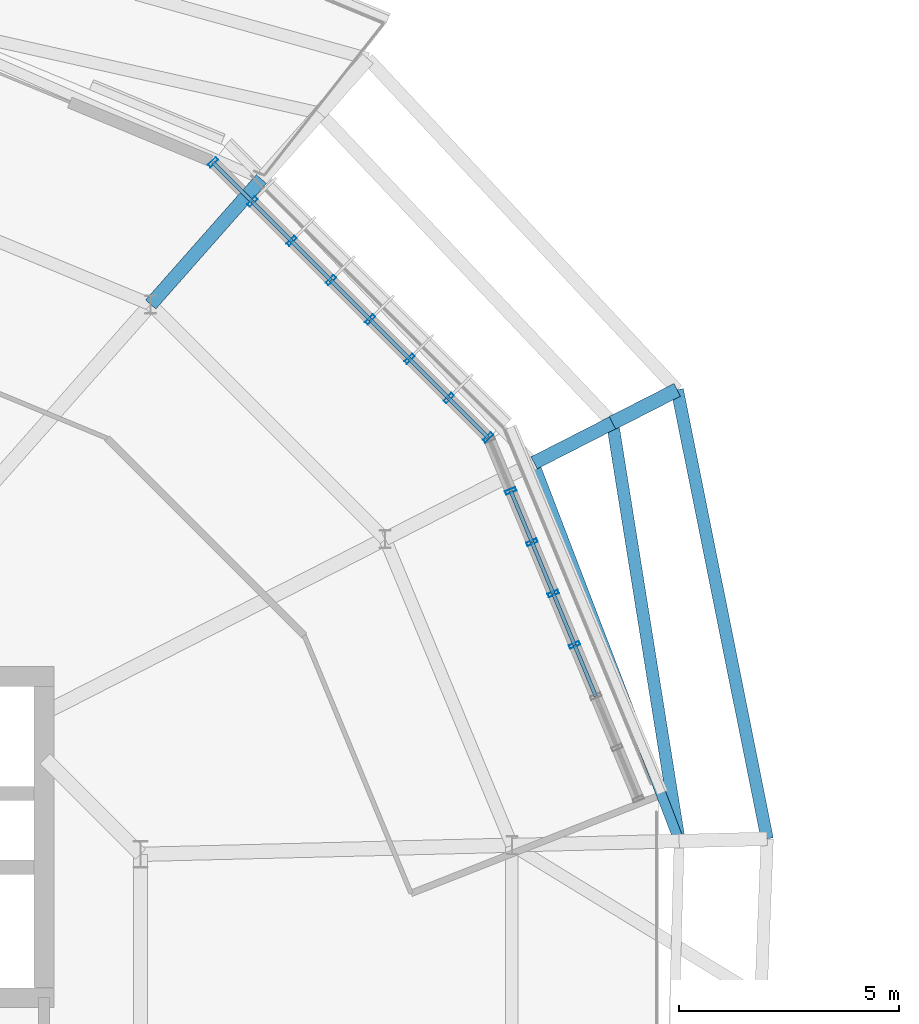
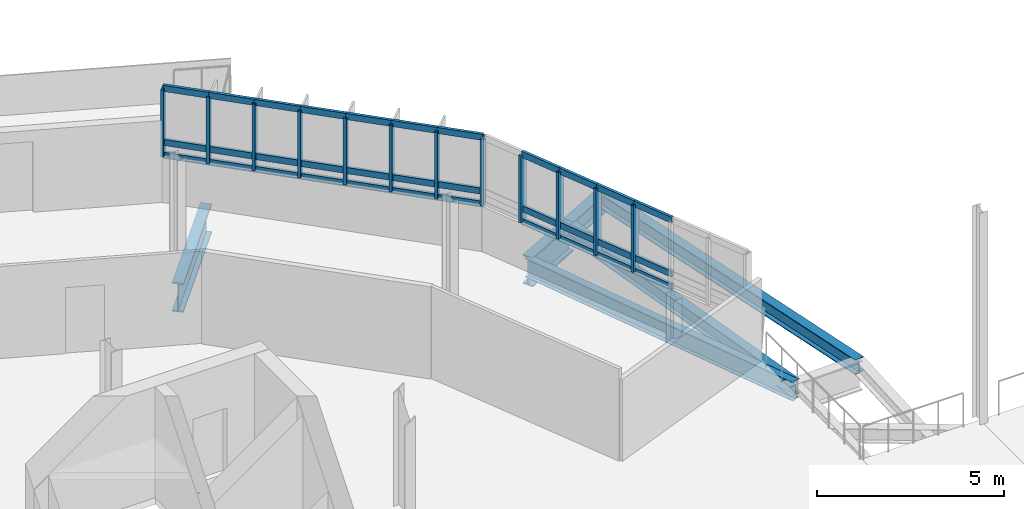
# One storey, part 29 of 61: 45 members, 6 beams, 2 elements without a shape of their own.
"""IFC4 building model written with IfcOpenShell, lengths in metres."""

from ifc_helpers import new_model, si_unit, derived_unit, direction, frame, origin, origin_2d, place, context, subcontext, project, spatial, hollow_rectangle, i_section, extrude, material, layer, layer_set, material_profile, profile_set, type_object, element, aggregate, save


model = new_model("IFC4")

# Units and contexts
model_context = context("Model", 3, precision=1e-05, world=origin(), true_north=direction((0.0, 1.0)))
body_context = subcontext(model_context, "Body", "Model", "MODEL_VIEW")
ifc_project = project(units=[si_unit("LENGTHUNIT", "METRE"), si_unit("AREAUNIT", "SQUARE_METRE"), si_unit("VOLUMEUNIT", "CUBIC_METRE"), si_unit("PLANEANGLEUNIT", "RADIAN"), si_unit("MASSUNIT", "GRAM", prefix="KILO"), derived_unit("THERMALTRANSMITTANCEUNIT", [(si_unit("MASSUNIT", "GRAM", prefix="KILO"), 1), (si_unit("TIMEUNIT", "SECOND"), -3), (si_unit("THERMODYNAMICTEMPERATUREUNIT", "KELVIN"), -1)])], contexts=[model_context])

# Site, building, storey
site_placement = place(None, origin())
site = spatial("IfcSite", under=ifc_project, at=site_placement, CompositionType="ELEMENT")
building_placement = place(site_placement, origin())
building = spatial("IfcBuilding", under=site, at=building_placement, Name="Makaiwela Harbour Ferry Terminal", CompositionType="ELEMENT")
storey_placement = place(building_placement, frame((0.0, 0.0, 13.800048828125)))
storey = spatial("IfcBuildingStorey", under=building, at=storey_placement, Name="L03", CompositionType="ELEMENT", Elevation=13.800048828125)

# Curtain wall, members
ifc_material_1 = material(Name="Marine anodised aluminium 6063-T6", Category="aluminium")
ifc_layer = layer(ifc_material_1, 0.199951171875)
ifc_layer_set = layer_set([ifc_layer], Name="Marine anodised aluminium 6063-T6")
curtain_wall_type = type_object("IfcCurtainWallType", Name="ENV-CW-05", PredefinedType="USERDEFINED", material=ifc_layer_set)
curtain_wall_1_placement = place(storey_placement, origin())
curtain_wall_1 = element("IfcCurtainWall", 1, at=curtain_wall_1_placement, inside=storey, type_object=curtain_wall_type, Name="Unitised Curtain Wall CWA-029", ObjectType="UNITIZED CURTAIN WALL", PredefinedType="USERDEFINED")
ifc_material_profile_1 = material_profile(ifc_material_1, hollow_rectangle(XDim=0.0849609375, YDim=0.25, WallThickness=0.0048828125, at=origin_2d()), Name="CWM-250X85")
ifc_profile_set_1 = profile_set([ifc_material_profile_1], Name="Marine anodised aluminium 6063-T6")
member_type_1 = type_object("IfcMemberType", Name="CW-MUL-250", PredefinedType="MULLION", material=ifc_profile_set_1)
member_1_placement = place(storey_placement, frame((57.451171875, 76.414306640625, 1.47998046875), z_axis=(0.0, 0.0, 1.0), x_axis=(-0.382683432365, 0.923879532511, 0.0)))
member_1 = element("IfcMember", 2, at=member_1_placement, type_object=member_type_1, Name="Curtain Wall Mullion CWA-029-4", PredefinedType="MULLION", context=body_context, shape_type="SweptSolid", body=[
    extrude(hollow_rectangle(XDim=0.0849609375, YDim=0.25, WallThickness=0.0048828125, at=origin_2d()), origin(), (0.0, 0.0, 1.0), 2.179931640625),
])
member_2_placement = place(storey_placement, frame((56.96826171875, 77.580810546875, 1.47998046875), z_axis=(0.0, 0.0, 1.0), x_axis=(-0.382683432365, 0.923879532511, 0.0)))
member_2 = element("IfcMember", 3, at=member_2_placement, type_object=member_type_1, Name="Curtain Wall Mullion CWA-029-5", PredefinedType="MULLION", context=body_context, shape_type="SweptSolid", body=[
    extrude(hollow_rectangle(XDim=0.0849609375, YDim=0.25, WallThickness=0.0048828125, at=origin_2d()), origin(), (0.0, 0.0, 1.0), 2.179931640625),
])
member_3_placement = place(storey_placement, frame((56.485107421875, 78.746826171875, 1.47998046875), z_axis=(0.0, 0.0, 1.0), x_axis=(-0.382683432365, 0.923879532511, 0.0)))
member_3 = element("IfcMember", 4, at=member_3_placement, type_object=member_type_1, Name="Curtain Wall Mullion CWA-029-6", PredefinedType="MULLION", context=body_context, shape_type="SweptSolid", body=[
    extrude(hollow_rectangle(XDim=0.0849609375, YDim=0.25, WallThickness=0.0048828125, at=origin_2d()), origin(), (0.0, 0.0, 1.0), 2.179931640625),
])
member_4_placement = place(storey_placement, frame((56.002197265625, 79.9130859375, 1.47998046875), z_axis=(0.0, 0.0, 1.0), x_axis=(-0.382683432365, 0.923879532511, 0.0)))
member_4 = element("IfcMember", 5, at=member_4_placement, type_object=member_type_1, Name="Curtain Wall Mullion CWA-029-7", PredefinedType="MULLION", context=body_context, shape_type="SweptSolid", body=[
    extrude(hollow_rectangle(XDim=0.0849609375, YDim=0.25, WallThickness=0.0048828125, at=origin_2d()), origin(), (0.0, 0.0, 1.0), 2.179931640625),
])

curtain_wall_2_placement = place(storey_placement, origin())
curtain_wall_2 = element("IfcCurtainWall", 6, at=curtain_wall_2_placement, inside=storey, type_object=curtain_wall_type, Name="Unitised Curtain Wall CWA-030", ObjectType="UNITIZED CURTAIN WALL", PredefinedType="USERDEFINED")
member_5_placement = place(storey_placement, frame((55.486328125, 81.128173828125, 1.47998046875), z_axis=(0.0, 0.0, 1.0), x_axis=(-0.707106781187, 0.707106781187, 0.0)))
member_5 = element("IfcMember", 7, at=member_5_placement, type_object=member_type_1, Name="Curtain Wall Mullion CWA-030-1", PredefinedType="MULLION", context=body_context, shape_type="SweptSolid", body=[
    extrude(hollow_rectangle(XDim=0.0849609375, YDim=0.25, WallThickness=0.0048828125, at=origin_2d()), origin(), (0.0, 0.0, 1.0), 2.179931640625),
])
member_6_placement = place(storey_placement, frame((54.59375, 82.020751953125, 1.47998046875), z_axis=(0.0, 0.0, 1.0), x_axis=(-0.707106781187, 0.707106781187, 0.0)))
member_6 = element("IfcMember", 8, at=member_6_placement, type_object=member_type_1, Name="Curtain Wall Mullion CWA-030-2", PredefinedType="MULLION", context=body_context, shape_type="SweptSolid", body=[
    extrude(hollow_rectangle(XDim=0.0849609375, YDim=0.25, WallThickness=0.0048828125, at=origin_2d()), origin(), (0.0, 0.0, 1.0), 2.179931640625),
])
member_7_placement = place(storey_placement, frame((53.701171875, 82.913330078125, 1.47998046875), z_axis=(0.0, 0.0, 1.0), x_axis=(-0.707106781187, 0.707106781187, 0.0)))
member_7 = element("IfcMember", 9, at=member_7_placement, type_object=member_type_1, Name="Curtain Wall Mullion CWA-030-3", PredefinedType="MULLION", context=body_context, shape_type="SweptSolid", body=[
    extrude(hollow_rectangle(XDim=0.0849609375, YDim=0.25, WallThickness=0.0048828125, at=origin_2d()), origin(), (0.0, 0.0, 1.0), 2.179931640625),
])
member_8_placement = place(storey_placement, frame((52.80859375, 83.805908203125, 1.47998046875), z_axis=(0.0, 0.0, 1.0), x_axis=(-0.707106781187, 0.707106781187, 0.0)))
member_8 = element("IfcMember", 10, at=member_8_placement, type_object=member_type_1, Name="Curtain Wall Mullion CWA-030-4", PredefinedType="MULLION", context=body_context, shape_type="SweptSolid", body=[
    extrude(hollow_rectangle(XDim=0.0849609375, YDim=0.25, WallThickness=0.0048828125, at=origin_2d()), origin(), (0.0, 0.0, 1.0), 2.179931640625),
])
member_9_placement = place(storey_placement, frame((51.916015625, 84.698486328125, 1.47998046875), z_axis=(0.0, 0.0, 1.0), x_axis=(-0.707106781187, 0.707106781187, 0.0)))
member_9 = element("IfcMember", 11, at=member_9_placement, type_object=member_type_1, Name="Curtain Wall Mullion CWA-030-5", PredefinedType="MULLION", context=body_context, shape_type="SweptSolid", body=[
    extrude(hollow_rectangle(XDim=0.0849609375, YDim=0.25, WallThickness=0.0048828125, at=origin_2d()), origin(), (0.0, 0.0, 1.0), 2.179931640625),
])
member_10_placement = place(storey_placement, frame((51.0234375, 85.591064453125, 1.47998046875), z_axis=(0.0, 0.0, 1.0), x_axis=(-0.707106781187, 0.707106781187, 0.0)))
member_10 = element("IfcMember", 12, at=member_10_placement, type_object=member_type_1, Name="Curtain Wall Mullion CWA-030-6", PredefinedType="MULLION", context=body_context, shape_type="SweptSolid", body=[
    extrude(hollow_rectangle(XDim=0.0849609375, YDim=0.25, WallThickness=0.0048828125, at=origin_2d()), origin(), (0.0, 0.0, 1.0), 2.179931640625),
])
member_11_placement = place(storey_placement, frame((50.130859375, 86.483642578125, 1.47998046875), z_axis=(0.0, 0.0, 1.0), x_axis=(-0.707106781187, 0.707106781187, 0.0)))
member_11 = element("IfcMember", 13, at=member_11_placement, type_object=member_type_1, Name="Curtain Wall Mullion CWA-030-7", PredefinedType="MULLION", context=body_context, shape_type="SweptSolid", body=[
    extrude(hollow_rectangle(XDim=0.0849609375, YDim=0.25, WallThickness=0.0048828125, at=origin_2d()), origin(), (0.0, 0.0, 1.0), 2.179931640625),
])
member_12_placement = place(storey_placement, frame((49.23828125, 87.376220703125, 1.47998046875), z_axis=(0.0, 0.0, 1.0), x_axis=(-0.707106781187, 0.707106781187, 0.0)))
member_12 = element("IfcMember", 14, at=member_12_placement, type_object=member_type_1, Name="Curtain Wall Mullion CWA-030-8", PredefinedType="MULLION", context=body_context, shape_type="SweptSolid", body=[
    extrude(hollow_rectangle(XDim=0.0849609375, YDim=0.25, WallThickness=0.0048828125, at=origin_2d()), origin(), (0.0, 0.0, 1.0), 2.179931640625),
])

# Member
ifc_material_profile_2 = material_profile(ifc_material_1, hollow_rectangle(XDim=0.0849609375, YDim=0.199951171875, WallThickness=0.0048828125, at=origin_2d()), Name="CWT-200X85")
ifc_profile_set_2 = profile_set([ifc_material_profile_2], Name="Marine anodised aluminium 6063-T6")
member_type_2 = type_object("IfcMemberType", Name="CW-TRN-200", PredefinedType="USERDEFINED", material=ifc_profile_set_2)
member_13_placement = place(storey_placement, frame((57.934326171875, 75.248291015625, 1.47998046875), z_axis=(-0.382801648306, 0.923830557004, 0.0), x_axis=(-0.923830557004, -0.382801648306, 0.0)))
member_13 = element("IfcMember", 15, at=member_13_placement, type_object=member_type_2, Name="Curtain Wall Transom CWA-029-3-1", ObjectType="TRANSOM", PredefinedType="USERDEFINED", context=body_context, shape_type="SweptSolid", body=[
    extrude(hollow_rectangle(XDim=0.0849609375, YDim=0.199951171875, WallThickness=0.0048828125, at=origin_2d()), origin(), (0.0, 0.0, 1.0), 1.26220703125),
])

member_14_placement = place(storey_placement, frame((57.934326171875, 75.248291015625, 1.89990234375), z_axis=(-0.382801648306, 0.923830557004, 0.0), x_axis=(-0.923830557004, -0.382801648306, 0.0)))
member_14 = element("IfcMember", 16, at=member_14_placement, type_object=member_type_2, Name="Curtain Wall Transom CWA-029-3-2", ObjectType="TRANSOM", PredefinedType="USERDEFINED", context=body_context, shape_type="SweptSolid", body=[
    extrude(hollow_rectangle(XDim=0.0849609375, YDim=0.199951171875, WallThickness=0.0048828125, at=origin_2d()), origin(), (0.0, 0.0, 1.0), 1.26220703125),
])

member_15_placement = place(storey_placement, frame((57.934326171875, 75.248291015625, 3.659912109375), z_axis=(-0.382801648306, 0.923830557004, 0.0), x_axis=(-0.923830557004, -0.382801648306, 0.0)))
member_15 = element("IfcMember", 17, at=member_15_placement, type_object=member_type_2, Name="Curtain Wall Transom CWA-029-3-3", ObjectType="TRANSOM", PredefinedType="USERDEFINED", context=body_context, shape_type="SweptSolid", body=[
    extrude(hollow_rectangle(XDim=0.0849609375, YDim=0.199951171875, WallThickness=0.0048828125, at=origin_2d()), origin(), (0.0, 0.0, 1.0), 1.26220703125),
])

member_16_placement = place(storey_placement, frame((57.451171875, 76.414306640625, 1.47998046875), z_axis=(-0.38249981452, 0.923955568137, 0.0), x_axis=(-0.923955568137, -0.38249981452, 0.0)))
member_16 = element("IfcMember", 18, at=member_16_placement, type_object=member_type_2, Name="Curtain Wall Transom CWA-029-4-1", ObjectType="TRANSOM", PredefinedType="USERDEFINED", context=body_context, shape_type="SweptSolid", body=[
    extrude(hollow_rectangle(XDim=0.0849609375, YDim=0.199951171875, WallThickness=0.0048828125, at=origin_2d()), origin(), (0.0, 0.0, 1.0), 1.262451171875),
])

member_17_placement = place(storey_placement, frame((57.451171875, 76.414306640625, 1.89990234375), z_axis=(-0.38249981452, 0.923955568137, 0.0), x_axis=(-0.923955568137, -0.38249981452, 0.0)))
member_17 = element("IfcMember", 19, at=member_17_placement, type_object=member_type_2, Name="Curtain Wall Transom CWA-029-4-2", ObjectType="TRANSOM", PredefinedType="USERDEFINED", context=body_context, shape_type="SweptSolid", body=[
    extrude(hollow_rectangle(XDim=0.0849609375, YDim=0.199951171875, WallThickness=0.0048828125, at=origin_2d()), origin(), (0.0, 0.0, 1.0), 1.262451171875),
])

member_18_placement = place(storey_placement, frame((57.451171875, 76.414306640625, 3.659912109375), z_axis=(-0.38249981452, 0.923955568137, 0.0), x_axis=(-0.923955568137, -0.38249981452, 0.0)))
member_18 = element("IfcMember", 20, at=member_18_placement, type_object=member_type_2, Name="Curtain Wall Transom CWA-029-4-3", ObjectType="TRANSOM", PredefinedType="USERDEFINED", context=body_context, shape_type="SweptSolid", body=[
    extrude(hollow_rectangle(XDim=0.0849609375, YDim=0.199951171875, WallThickness=0.0048828125, at=origin_2d()), origin(), (0.0, 0.0, 1.0), 1.262451171875),
])

member_19_placement = place(storey_placement, frame((56.96826171875, 77.580810546875, 1.47998046875), z_axis=(-0.382801648306, 0.923830557004, 0.0), x_axis=(-0.923830557004, -0.382801648306, 0.0)))
member_19 = element("IfcMember", 21, at=member_19_placement, type_object=member_type_2, Name="Curtain Wall Transom CWA-029-5-1", ObjectType="TRANSOM", PredefinedType="USERDEFINED", context=body_context, shape_type="SweptSolid", body=[
    extrude(hollow_rectangle(XDim=0.0849609375, YDim=0.199951171875, WallThickness=0.0048828125, at=origin_2d()), origin(), (0.0, 0.0, 1.0), 1.26220703125),
])

member_20_placement = place(storey_placement, frame((56.96826171875, 77.580810546875, 1.89990234375), z_axis=(-0.382801648306, 0.923830557004, 0.0), x_axis=(-0.923830557004, -0.382801648306, 0.0)))
member_20 = element("IfcMember", 22, at=member_20_placement, type_object=member_type_2, Name="Curtain Wall Transom CWA-029-5-2", ObjectType="TRANSOM", PredefinedType="USERDEFINED", context=body_context, shape_type="SweptSolid", body=[
    extrude(hollow_rectangle(XDim=0.0849609375, YDim=0.199951171875, WallThickness=0.0048828125, at=origin_2d()), origin(), (0.0, 0.0, 1.0), 1.26220703125),
])

member_21_placement = place(storey_placement, frame((56.96826171875, 77.580810546875, 3.659912109375), z_axis=(-0.382801648306, 0.923830557004, 0.0), x_axis=(-0.923830557004, -0.382801648306, 0.0)))
member_21 = element("IfcMember", 23, at=member_21_placement, type_object=member_type_2, Name="Curtain Wall Transom CWA-029-5-3", ObjectType="TRANSOM", PredefinedType="USERDEFINED", context=body_context, shape_type="SweptSolid", body=[
    extrude(hollow_rectangle(XDim=0.0849609375, YDim=0.199951171875, WallThickness=0.0048828125, at=origin_2d()), origin(), (0.0, 0.0, 1.0), 1.26220703125),
])

member_22_placement = place(storey_placement, frame((56.485107421875, 78.746826171875, 1.47998046875), z_axis=(-0.382568167619, 0.923927268309, 0.0), x_axis=(-0.923927268309, -0.382568167619, 0.0)))
member_22 = element("IfcMember", 24, at=member_22_placement, type_object=member_type_2, Name="Curtain Wall Transom CWA-029-6-1", ObjectType="TRANSOM", PredefinedType="USERDEFINED", context=body_context, shape_type="SweptSolid", body=[
    extrude(hollow_rectangle(XDim=0.0849609375, YDim=0.199951171875, WallThickness=0.0048828125, at=origin_2d()), origin(), (0.0, 0.0, 1.0), 1.26220703125),
])

member_23_placement = place(storey_placement, frame((56.485107421875, 78.746826171875, 1.89990234375), z_axis=(-0.382568167619, 0.923927268309, 0.0), x_axis=(-0.923927268309, -0.382568167619, 0.0)))
member_23 = element("IfcMember", 25, at=member_23_placement, type_object=member_type_2, Name="Curtain Wall Transom CWA-029-6-2", ObjectType="TRANSOM", PredefinedType="USERDEFINED", context=body_context, shape_type="SweptSolid", body=[
    extrude(hollow_rectangle(XDim=0.0849609375, YDim=0.199951171875, WallThickness=0.0048828125, at=origin_2d()), origin(), (0.0, 0.0, 1.0), 1.26220703125),
])

member_24_placement = place(storey_placement, frame((56.485107421875, 78.746826171875, 3.659912109375), z_axis=(-0.382568167619, 0.923927268309, 0.0), x_axis=(-0.923927268309, -0.382568167619, 0.0)))
member_24 = element("IfcMember", 26, at=member_24_placement, type_object=member_type_2, Name="Curtain Wall Transom CWA-029-6-3", ObjectType="TRANSOM", PredefinedType="USERDEFINED", context=body_context, shape_type="SweptSolid", body=[
    extrude(hollow_rectangle(XDim=0.0849609375, YDim=0.199951171875, WallThickness=0.0048828125, at=origin_2d()), origin(), (0.0, 0.0, 1.0), 1.26220703125),
])

aggregate(curtain_wall_1, [member_1, member_2, member_3, member_4, member_13, member_14, member_15, member_16, member_17, member_18, member_19, member_20, member_21, member_22, member_23, member_24])

member_25_placement = place(storey_placement, frame((55.486328125, 81.128173828125, 1.47998046875), z_axis=(-0.707106781187, 0.707106781187, 0.0), x_axis=(-0.707106781187, -0.707106781187, 0.0)))
member_25 = element("IfcMember", 27, at=member_25_placement, type_object=member_type_2, Name="Curtain Wall Transom CWA-030-1-1", ObjectType="TRANSOM", PredefinedType="USERDEFINED", context=body_context, shape_type="SweptSolid", body=[
    extrude(hollow_rectangle(XDim=0.0849609375, YDim=0.199951171875, WallThickness=0.0048828125, at=origin_2d()), origin(), (0.0, 0.0, 1.0), 1.26220703125),
])

member_26_placement = place(storey_placement, frame((55.486328125, 81.128173828125, 1.89990234375), z_axis=(-0.707106781187, 0.707106781187, 0.0), x_axis=(-0.707106781187, -0.707106781187, 0.0)))
member_26 = element("IfcMember", 28, at=member_26_placement, type_object=member_type_2, Name="Curtain Wall Transom CWA-030-1-2", ObjectType="TRANSOM", PredefinedType="USERDEFINED", context=body_context, shape_type="SweptSolid", body=[
    extrude(hollow_rectangle(XDim=0.0849609375, YDim=0.199951171875, WallThickness=0.0048828125, at=origin_2d()), origin(), (0.0, 0.0, 1.0), 1.26220703125),
])

member_27_placement = place(storey_placement, frame((55.486328125, 81.128173828125, 3.659912109375), z_axis=(-0.707106781187, 0.707106781187, 0.0), x_axis=(-0.707106781187, -0.707106781187, 0.0)))
member_27 = element("IfcMember", 29, at=member_27_placement, type_object=member_type_2, Name="Curtain Wall Transom CWA-030-1-3", ObjectType="TRANSOM", PredefinedType="USERDEFINED", context=body_context, shape_type="SweptSolid", body=[
    extrude(hollow_rectangle(XDim=0.0849609375, YDim=0.199951171875, WallThickness=0.0048828125, at=origin_2d()), origin(), (0.0, 0.0, 1.0), 1.26220703125),
])

member_28_placement = place(storey_placement, frame((54.59375, 82.020751953125, 1.47998046875), z_axis=(-0.707106781187, 0.707106781187, 0.0), x_axis=(-0.707106781187, -0.707106781187, 0.0)))
member_28 = element("IfcMember", 30, at=member_28_placement, type_object=member_type_2, Name="Curtain Wall Transom CWA-030-2-1", ObjectType="TRANSOM", PredefinedType="USERDEFINED", context=body_context, shape_type="SweptSolid", body=[
    extrude(hollow_rectangle(XDim=0.0849609375, YDim=0.199951171875, WallThickness=0.0048828125, at=origin_2d()), origin(), (0.0, 0.0, 1.0), 1.26220703125),
])

member_29_placement = place(storey_placement, frame((54.59375, 82.020751953125, 1.89990234375), z_axis=(-0.707106781187, 0.707106781187, 0.0), x_axis=(-0.707106781187, -0.707106781187, 0.0)))
member_29 = element("IfcMember", 31, at=member_29_placement, type_object=member_type_2, Name="Curtain Wall Transom CWA-030-2-2", ObjectType="TRANSOM", PredefinedType="USERDEFINED", context=body_context, shape_type="SweptSolid", body=[
    extrude(hollow_rectangle(XDim=0.0849609375, YDim=0.199951171875, WallThickness=0.0048828125, at=origin_2d()), origin(), (0.0, 0.0, 1.0), 1.26220703125),
])

member_30_placement = place(storey_placement, frame((54.59375, 82.020751953125, 3.659912109375), z_axis=(-0.707106781187, 0.707106781187, 0.0), x_axis=(-0.707106781187, -0.707106781187, 0.0)))
member_30 = element("IfcMember", 32, at=member_30_placement, type_object=member_type_2, Name="Curtain Wall Transom CWA-030-2-3", ObjectType="TRANSOM", PredefinedType="USERDEFINED", context=body_context, shape_type="SweptSolid", body=[
    extrude(hollow_rectangle(XDim=0.0849609375, YDim=0.199951171875, WallThickness=0.0048828125, at=origin_2d()), origin(), (0.0, 0.0, 1.0), 1.26220703125),
])

member_31_placement = place(storey_placement, frame((53.701171875, 82.913330078125, 1.47998046875), z_axis=(-0.707106781187, 0.707106781187, 0.0), x_axis=(-0.707106781187, -0.707106781187, 0.0)))
member_31 = element("IfcMember", 33, at=member_31_placement, type_object=member_type_2, Name="Curtain Wall Transom CWA-030-3-1", ObjectType="TRANSOM", PredefinedType="USERDEFINED", context=body_context, shape_type="SweptSolid", body=[
    extrude(hollow_rectangle(XDim=0.0849609375, YDim=0.199951171875, WallThickness=0.0048828125, at=origin_2d()), origin(), (0.0, 0.0, 1.0), 1.26220703125),
])

member_32_placement = place(storey_placement, frame((53.701171875, 82.913330078125, 1.89990234375), z_axis=(-0.707106781187, 0.707106781187, 0.0), x_axis=(-0.707106781187, -0.707106781187, 0.0)))
member_32 = element("IfcMember", 34, at=member_32_placement, type_object=member_type_2, Name="Curtain Wall Transom CWA-030-3-2", ObjectType="TRANSOM", PredefinedType="USERDEFINED", context=body_context, shape_type="SweptSolid", body=[
    extrude(hollow_rectangle(XDim=0.0849609375, YDim=0.199951171875, WallThickness=0.0048828125, at=origin_2d()), origin(), (0.0, 0.0, 1.0), 1.26220703125),
])

member_33_placement = place(storey_placement, frame((53.701171875, 82.913330078125, 3.659912109375), z_axis=(-0.707106781187, 0.707106781187, 0.0), x_axis=(-0.707106781187, -0.707106781187, 0.0)))
member_33 = element("IfcMember", 35, at=member_33_placement, type_object=member_type_2, Name="Curtain Wall Transom CWA-030-3-3", ObjectType="TRANSOM", PredefinedType="USERDEFINED", context=body_context, shape_type="SweptSolid", body=[
    extrude(hollow_rectangle(XDim=0.0849609375, YDim=0.199951171875, WallThickness=0.0048828125, at=origin_2d()), origin(), (0.0, 0.0, 1.0), 1.26220703125),
])

member_34_placement = place(storey_placement, frame((52.80859375, 83.805908203125, 1.47998046875), z_axis=(-0.707106781187, 0.707106781187, 0.0), x_axis=(-0.707106781187, -0.707106781187, 0.0)))
member_34 = element("IfcMember", 36, at=member_34_placement, type_object=member_type_2, Name="Curtain Wall Transom CWA-030-4-1", ObjectType="TRANSOM", PredefinedType="USERDEFINED", context=body_context, shape_type="SweptSolid", body=[
    extrude(hollow_rectangle(XDim=0.0849609375, YDim=0.199951171875, WallThickness=0.0048828125, at=origin_2d()), origin(), (0.0, 0.0, 1.0), 1.26220703125),
])

member_35_placement = place(storey_placement, frame((52.80859375, 83.805908203125, 1.89990234375), z_axis=(-0.707106781187, 0.707106781187, 0.0), x_axis=(-0.707106781187, -0.707106781187, 0.0)))
member_35 = element("IfcMember", 37, at=member_35_placement, type_object=member_type_2, Name="Curtain Wall Transom CWA-030-4-2", ObjectType="TRANSOM", PredefinedType="USERDEFINED", context=body_context, shape_type="SweptSolid", body=[
    extrude(hollow_rectangle(XDim=0.0849609375, YDim=0.199951171875, WallThickness=0.0048828125, at=origin_2d()), origin(), (0.0, 0.0, 1.0), 1.26220703125),
])

member_36_placement = place(storey_placement, frame((52.80859375, 83.805908203125, 3.659912109375), z_axis=(-0.707106781187, 0.707106781187, 0.0), x_axis=(-0.707106781187, -0.707106781187, 0.0)))
member_36 = element("IfcMember", 38, at=member_36_placement, type_object=member_type_2, Name="Curtain Wall Transom CWA-030-4-3", ObjectType="TRANSOM", PredefinedType="USERDEFINED", context=body_context, shape_type="SweptSolid", body=[
    extrude(hollow_rectangle(XDim=0.0849609375, YDim=0.199951171875, WallThickness=0.0048828125, at=origin_2d()), origin(), (0.0, 0.0, 1.0), 1.26220703125),
])

member_37_placement = place(storey_placement, frame((51.916015625, 84.698486328125, 1.47998046875), z_axis=(-0.707106781187, 0.707106781187, 0.0), x_axis=(-0.707106781187, -0.707106781187, 0.0)))
member_37 = element("IfcMember", 39, at=member_37_placement, type_object=member_type_2, Name="Curtain Wall Transom CWA-030-5-1", ObjectType="TRANSOM", PredefinedType="USERDEFINED", context=body_context, shape_type="SweptSolid", body=[
    extrude(hollow_rectangle(XDim=0.0849609375, YDim=0.199951171875, WallThickness=0.0048828125, at=origin_2d()), origin(), (0.0, 0.0, 1.0), 1.26220703125),
])

member_38_placement = place(storey_placement, frame((51.916015625, 84.698486328125, 1.89990234375), z_axis=(-0.707106781187, 0.707106781187, 0.0), x_axis=(-0.707106781187, -0.707106781187, 0.0)))
member_38 = element("IfcMember", 40, at=member_38_placement, type_object=member_type_2, Name="Curtain Wall Transom CWA-030-5-2", ObjectType="TRANSOM", PredefinedType="USERDEFINED", context=body_context, shape_type="SweptSolid", body=[
    extrude(hollow_rectangle(XDim=0.0849609375, YDim=0.199951171875, WallThickness=0.0048828125, at=origin_2d()), origin(), (0.0, 0.0, 1.0), 1.26220703125),
])

member_39_placement = place(storey_placement, frame((51.916015625, 84.698486328125, 3.659912109375), z_axis=(-0.707106781187, 0.707106781187, 0.0), x_axis=(-0.707106781187, -0.707106781187, 0.0)))
member_39 = element("IfcMember", 41, at=member_39_placement, type_object=member_type_2, Name="Curtain Wall Transom CWA-030-5-3", ObjectType="TRANSOM", PredefinedType="USERDEFINED", context=body_context, shape_type="SweptSolid", body=[
    extrude(hollow_rectangle(XDim=0.0849609375, YDim=0.199951171875, WallThickness=0.0048828125, at=origin_2d()), origin(), (0.0, 0.0, 1.0), 1.26220703125),
])

member_40_placement = place(storey_placement, frame((51.0234375, 85.591064453125, 1.47998046875), z_axis=(-0.707106781187, 0.707106781187, 0.0), x_axis=(-0.707106781187, -0.707106781187, 0.0)))
member_40 = element("IfcMember", 42, at=member_40_placement, type_object=member_type_2, Name="Curtain Wall Transom CWA-030-6-1", ObjectType="TRANSOM", PredefinedType="USERDEFINED", context=body_context, shape_type="SweptSolid", body=[
    extrude(hollow_rectangle(XDim=0.0849609375, YDim=0.199951171875, WallThickness=0.0048828125, at=origin_2d()), origin(), (0.0, 0.0, 1.0), 1.26220703125),
])

member_41_placement = place(storey_placement, frame((51.0234375, 85.591064453125, 1.89990234375), z_axis=(-0.707106781187, 0.707106781187, 0.0), x_axis=(-0.707106781187, -0.707106781187, 0.0)))
member_41 = element("IfcMember", 43, at=member_41_placement, type_object=member_type_2, Name="Curtain Wall Transom CWA-030-6-2", ObjectType="TRANSOM", PredefinedType="USERDEFINED", context=body_context, shape_type="SweptSolid", body=[
    extrude(hollow_rectangle(XDim=0.0849609375, YDim=0.199951171875, WallThickness=0.0048828125, at=origin_2d()), origin(), (0.0, 0.0, 1.0), 1.26220703125),
])

member_42_placement = place(storey_placement, frame((51.0234375, 85.591064453125, 3.659912109375), z_axis=(-0.707106781187, 0.707106781187, 0.0), x_axis=(-0.707106781187, -0.707106781187, 0.0)))
member_42 = element("IfcMember", 44, at=member_42_placement, type_object=member_type_2, Name="Curtain Wall Transom CWA-030-6-3", ObjectType="TRANSOM", PredefinedType="USERDEFINED", context=body_context, shape_type="SweptSolid", body=[
    extrude(hollow_rectangle(XDim=0.0849609375, YDim=0.199951171875, WallThickness=0.0048828125, at=origin_2d()), origin(), (0.0, 0.0, 1.0), 1.26220703125),
])

member_43_placement = place(storey_placement, frame((50.130859375, 86.483642578125, 1.47998046875), z_axis=(-0.707106781187, 0.707106781187, 0.0), x_axis=(-0.707106781187, -0.707106781187, 0.0)))
member_43 = element("IfcMember", 45, at=member_43_placement, type_object=member_type_2, Name="Curtain Wall Transom CWA-030-7-1", ObjectType="TRANSOM", PredefinedType="USERDEFINED", context=body_context, shape_type="SweptSolid", body=[
    extrude(hollow_rectangle(XDim=0.0849609375, YDim=0.199951171875, WallThickness=0.0048828125, at=origin_2d()), origin(), (0.0, 0.0, 1.0), 1.26220703125),
])

member_44_placement = place(storey_placement, frame((50.130859375, 86.483642578125, 1.89990234375), z_axis=(-0.707106781187, 0.707106781187, 0.0), x_axis=(-0.707106781187, -0.707106781187, 0.0)))
member_44 = element("IfcMember", 46, at=member_44_placement, type_object=member_type_2, Name="Curtain Wall Transom CWA-030-7-2", ObjectType="TRANSOM", PredefinedType="USERDEFINED", context=body_context, shape_type="SweptSolid", body=[
    extrude(hollow_rectangle(XDim=0.0849609375, YDim=0.199951171875, WallThickness=0.0048828125, at=origin_2d()), origin(), (0.0, 0.0, 1.0), 1.26220703125),
])

member_45_placement = place(storey_placement, frame((50.130859375, 86.483642578125, 3.659912109375), z_axis=(-0.707106781187, 0.707106781187, 0.0), x_axis=(-0.707106781187, -0.707106781187, 0.0)))
member_45 = element("IfcMember", 47, at=member_45_placement, type_object=member_type_2, Name="Curtain Wall Transom CWA-030-7-3", ObjectType="TRANSOM", PredefinedType="USERDEFINED", context=body_context, shape_type="SweptSolid", body=[
    extrude(hollow_rectangle(XDim=0.0849609375, YDim=0.199951171875, WallThickness=0.0048828125, at=origin_2d()), origin(), (0.0, 0.0, 1.0), 1.26220703125),
])

aggregate(curtain_wall_2, [member_5, member_6, member_7, member_8, member_9, member_10, member_11, member_12, member_25, member_26, member_27, member_28, member_29, member_30, member_31, member_32, member_33, member_34, member_35, member_36, member_37, member_38, member_39, member_40, member_41, member_42, member_43, member_44, member_45])

# Beams
ifc_material_2 = material(Name="Steel ASTM A992 Grade 50", Category="steel")
ifc_material_profile_3 = material_profile(ifc_material_2, i_section(OverallWidth=0.280029296875, OverallDepth=0.462890625, WebThickness=0.0107421875, FlangeThickness=0.017333984375, at=origin_2d()), Name="W18X76")
ifc_profile_set_3 = profile_set([ifc_material_profile_3], Name="Steel ASTM A992 Grade 50")
beam_type_1 = type_object("IfcBeamType", Name="STR-BM-W18X76", PredefinedType="BEAM", material=ifc_profile_set_3)
beam_1_placement = place(storey_placement, frame((59.827880859375, 71.959228515625, -0.486572265625), z_axis=(-0.157406457436, 0.987533901776, 0.0), x_axis=(-0.987533901776, -0.157406457436, 0.0)))
element("IfcBeam", 48, at=beam_1_placement, inside=storey, type_object=beam_type_1, Name="Drum stage2 tie girder 329", PredefinedType="BEAM", context=body_context, shape_type="SweptSolid", body=[
    extrude(i_section(OverallWidth=0.280029296875, OverallDepth=0.462890625, WebThickness=0.0107421875, FlangeThickness=0.017333984375, at=origin_2d()), origin(), (0.0, 0.0, 1.0), 9.619384765625),
])
ifc_material_profile_4 = material_profile(ifc_material_2, i_section(OverallWidth=0.324951171875, OverallDepth=0.615966796875, WebThickness=0.013916015625, FlangeThickness=0.021484375, at=origin_2d()), Name="W24X117")
ifc_profile_set_4 = profile_set([ifc_material_profile_4], Name="Steel ASTM A992 Grade 50")
beam_type_2 = type_object("IfcBeamType", Name="STR-GRD-W24X117", PredefinedType="USERDEFINED", material=ifc_profile_set_4)
beam_2_placement = place(storey_placement, frame((58.313720703125, 81.458740234375, -0.56298828125), z_axis=(0.890787540779, 0.454420022879, 0.0), x_axis=(-0.454420022879, 0.890787540779, 0.0)))
element("IfcBeam", 49, at=beam_2_placement, inside=storey, type_object=beam_type_2, Name="Promenade terrace bracket 277", ObjectType="GIRDER", PredefinedType="USERDEFINED", context=body_context, shape_type="SweptSolid", body=[
    extrude(i_section(OverallWidth=0.324951171875, OverallDepth=0.615966796875, WebThickness=0.013916015625, FlangeThickness=0.021484375, at=origin_2d()), origin(), (0.0, 0.0, 1.0), 1.64990234375),
])
ifc_material_profile_5 = material_profile(ifc_material_2, i_section(OverallWidth=0.22900390625, OverallDepth=0.612060546875, WebThickness=0.011962890625, FlangeThickness=0.01953125, at=origin_2d()), Name="W24X84")
ifc_profile_set_5 = profile_set([ifc_material_profile_5], Name="Steel ASTM A992 Grade 50")
beam_type_3 = type_object("IfcBeamType", Name="STR-GRD-W24X84", PredefinedType="USERDEFINED", material=ifc_profile_set_5)
beam_3_placement = place(storey_placement, frame((59.827880859375, 71.959228515625, -0.56103515625), z_axis=(-0.358191255304, 0.933648233878, 0.0), x_axis=(-0.933648233878, -0.358191255304, 0.0)))
element("IfcBeam", 50, at=beam_3_placement, inside=storey, type_object=beam_type_3, Name="Drum overhang tie girder 328", ObjectType="GIRDER", PredefinedType="USERDEFINED", context=body_context, shape_type="SweptSolid", body=[
    extrude(i_section(OverallWidth=0.22900390625, OverallDepth=0.612060546875, WebThickness=0.011962890625, FlangeThickness=0.01953125, at=origin_2d()), origin(), (0.0, 0.0, 1.0), 9.200927734375),
])
ifc_material_profile_6 = material_profile(ifc_material_2, i_section(OverallWidth=0.31005859375, OverallDepth=0.949951171875, WebThickness=0.0244140625, FlangeThickness=0.0439453125, at=origin_2d()), Name="W36X256")
ifc_profile_set_6 = profile_set([ifc_material_profile_6], Name="Steel ASTM A992 Grade 50")
beam_type_4 = type_object("IfcBeamType", Name="STR-GRD-W36X256", PredefinedType="USERDEFINED", material=ifc_profile_set_6)
beam_4_placement = place(storey_placement, frame((56.5322265625, 80.549560546875, -0.72998046875), z_axis=(0.890710431999, 0.454571145507, 0.0), x_axis=(-0.454571145507, 0.890710431999, 0.0)))
element("IfcBeam", 51, at=beam_4_placement, inside=storey, type_object=beam_type_4, Name="Drum overhang radial girder 276", ObjectType="GIRDER", PredefinedType="USERDEFINED", context=body_context, shape_type="SweptSolid", body=[
    extrude(i_section(OverallWidth=0.31005859375, OverallDepth=0.949951171875, WebThickness=0.0244140625, FlangeThickness=0.0439453125, at=origin_2d()), origin(), (0.0, 0.0, 1.0), 2.0),
])
beam_5_placement = place(storey_placement, frame((47.822509765625, 84.1474609375, -0.72998046875), z_axis=(0.662031662914, 0.74947586839, 0.0), x_axis=(-0.74947586839, 0.662031662914, 0.0)))
element("IfcBeam", 52, at=beam_5_placement, inside=storey, type_object=beam_type_4, Name="Drum radial overhang 279", ObjectType="GIRDER", PredefinedType="USERDEFINED", context=body_context, shape_type="SweptSolid", body=[
    extrude(i_section(OverallWidth=0.31005859375, OverallDepth=0.949951171875, WebThickness=0.0244140625, FlangeThickness=0.0439453125, at=origin_2d()), origin(), (0.0, 0.0, 1.0), 3.7998046875),
])
ifc_material_profile_7 = material_profile(ifc_material_2, i_section(OverallWidth=0.283935546875, OverallDepth=0.47607421875, WebThickness=0.014892578125, FlangeThickness=0.02392578125, at=origin_2d()), Name="W18X106")
ifc_profile_set_7 = profile_set([ifc_material_profile_7], Name="Steel ASTM A992 Grade 50")
beam_type_5 = type_object("IfcBeamType", Name="STR-SPN-W18X106", PredefinedType="SPANDREL", material=ifc_profile_set_7)
beam_6_placement = place(storey_placement, frame((61.827392578125, 72.0087890625, -0.4931640625), z_axis=(-0.196486216307, 0.980506586822, 0.0), x_axis=(-0.980506586822, -0.196486216307, 0.0)))
element("IfcBeam", 53, at=beam_6_placement, inside=storey, type_object=beam_type_5, Name="Drum perimeter spandrel 355", PredefinedType="SPANDREL", context=body_context, shape_type="SweptSolid", body=[
    extrude(i_section(OverallWidth=0.283935546875, OverallDepth=0.47607421875, WebThickness=0.014892578125, FlangeThickness=0.02392578125, at=origin_2d()), origin(), (0.0, 0.0, 1.0), 10.402587890625),
])

save(model, "model.ifc")
